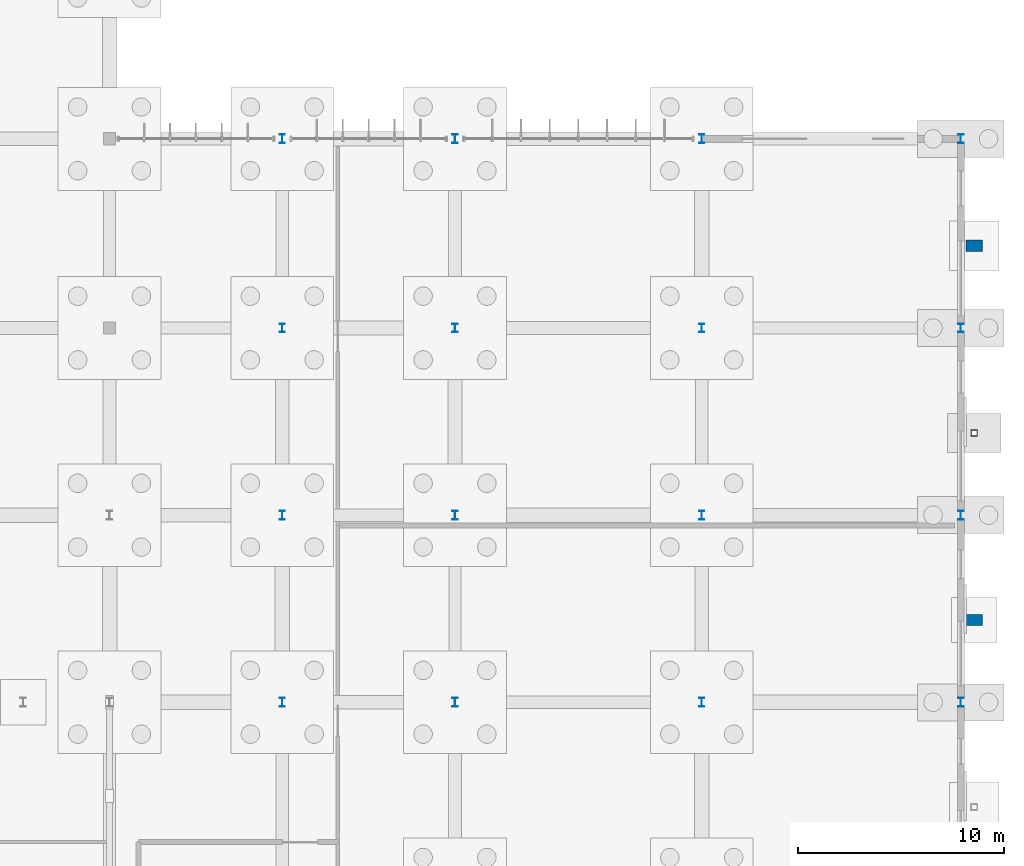
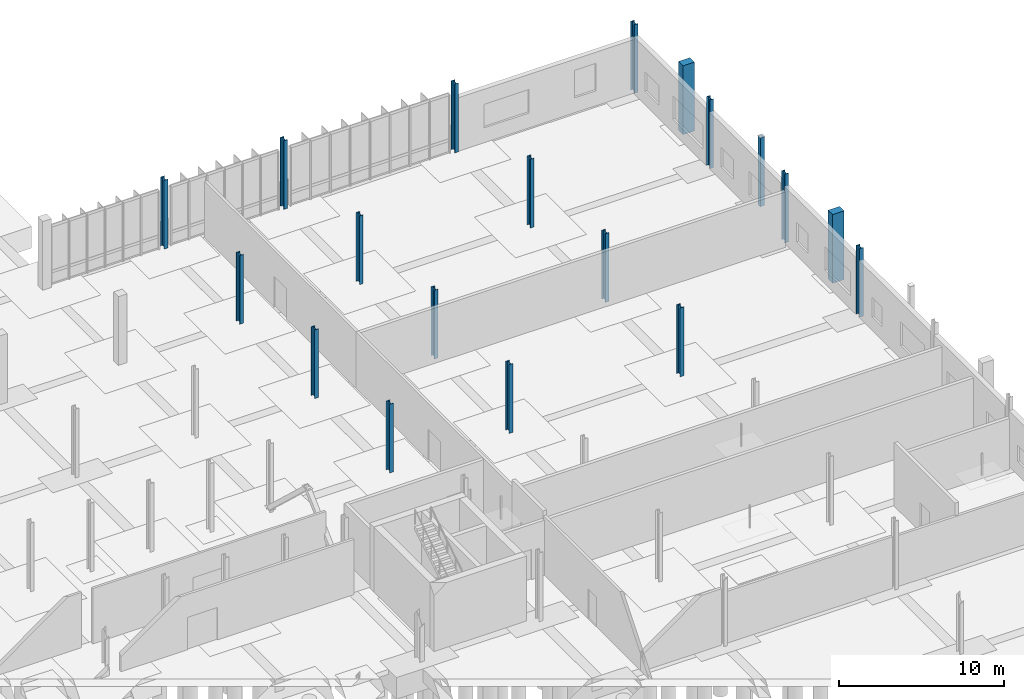
# One storey, part 27 of 119: 19 columns.
"""IFC4 building model written with IfcOpenShell, lengths in metres."""

from ifc_helpers import new_model, si_unit, derived_unit, direction, frame, origin, origin_2d, place, context, subcontext, project, spatial, rectangle, hollow_rectangle, i_section, extrude, material, material_profile, profile_set, type_object, element, save


model = new_model("IFC4")

# Units and contexts
model_context = context("Model", 3, precision=1e-05, world=origin(), true_north=direction((0.0, 1.0)))
body_context = subcontext(model_context, "Body", "Model", "MODEL_VIEW")
ifc_project = project(units=[si_unit("LENGTHUNIT", "METRE"), si_unit("AREAUNIT", "SQUARE_METRE"), si_unit("VOLUMEUNIT", "CUBIC_METRE"), si_unit("PLANEANGLEUNIT", "RADIAN"), si_unit("MASSUNIT", "GRAM", prefix="KILO"), derived_unit("THERMALTRANSMITTANCEUNIT", [(si_unit("MASSUNIT", "GRAM", prefix="KILO"), 1), (si_unit("TIMEUNIT", "SECOND"), -3), (si_unit("THERMODYNAMICTEMPERATUREUNIT", "KELVIN"), -1)])], contexts=[model_context])

# Site, building, storey
site_placement = place(None, origin())
site = spatial("IfcSite", under=ifc_project, at=site_placement, CompositionType="ELEMENT")
building_placement = place(site_placement, origin())
building = spatial("IfcBuilding", under=site, at=building_placement, Name="Makaiwela Harbour Ferry Terminal", CompositionType="ELEMENT")
storey_placement = place(building_placement, origin())
storey = spatial("IfcBuildingStorey", under=building, at=storey_placement, Name="L00", CompositionType="ELEMENT", Elevation=0.0)

# Columns
ifc_material_1 = material(Name="Steel ASTM A992 Grade 50", Category="steel")
ifc_material_profile_1 = material_profile(ifc_material_1, i_section(OverallWidth=0.264892578125, OverallDepth=0.430908203125, WebThickness=0.014892578125, FlangeThickness=0.02490234375, at=origin_2d()), Name="W16X100")
ifc_profile_set_1 = profile_set([ifc_material_profile_1], Name="Steel ASTM A992 Grade 50")
column_type_1 = type_object("IfcColumnType", Name="STR-COL-W16X100", PredefinedType="COLUMN", material=ifc_profile_set_1)
for number, where, z_axis, x_axis, name in (
    (1, (147.0, 67.60009765625, 0.0), (0.0, 0.0, 1.0), (1.0, 0.0, 0.0), "Structural Column C-03"),
    (2, (147.0, 76.699951171875, 0.0), (0.0, 0.0, 1.0), (1.0, 0.0, 0.0), "Structural Column C-03"),
    (3, (147.0, 85.800048828125, 0.0), (0.0, 0.0, 1.0), (1.0, 0.0, 0.0), "Structural Column C-03"),
    (4, (147.0, 95.0, 0.0), (0.0, 0.0, 1.0), (1.0, 0.0, 0.0), "Structural Column C-03"),
    (5, (155.39990234375, 67.60009765625, 0.0), (0.0, 0.0, 1.0), (1.0, 0.0, 0.0), "Structural Column C-03"),
    (6, (155.39990234375, 76.699951171875, 0.0), (0.0, 0.0, 1.0), (1.0, 0.0, 0.0), "Structural Column C-03"),
    (7, (155.39990234375, 85.800048828125, 0.0), (0.0, 0.0, 1.0), (1.0, 0.0, 0.0), "Structural Column C-03"),
    (8, (155.39990234375, 95.0, 0.0), (0.0, 0.0, 1.0), (1.0, 0.0, 0.0), "Structural Column C-03"),
    (9, (167.39990234375, 67.60009765625, 0.0), (0.0, 0.0, 1.0), (1.0, 0.0, 0.0), "Structural Column C-03"),
    (10, (167.39990234375, 76.699951171875, 0.0), (0.0, 0.0, 1.0), (1.0, 0.0, 0.0), "Structural Column C-03"),
    (11, (167.39990234375, 85.800048828125, 0.0), (0.0, 0.0, 1.0), (1.0, 0.0, 0.0), "Structural Column C-03"),
    (12, (167.39990234375, 95.0, 0.0), (0.0, 0.0, 1.0), (1.0, 0.0, 0.0), "Structural Column C-03"),
    (13, (180.0, 67.60009765625, 0.0), (0.0, 0.0, 1.0), (1.0, 0.0, 0.0), "Structural Column C-03"),
    (14, (180.0, 76.699951171875, 0.0), (0.0, 0.0, 1.0), (1.0, 0.0, 0.0), "Structural Column C-03"),
    (15, (180.0, 85.800048828125, 0.0), (0.0, 0.0, 1.0), (1.0, 0.0, 0.0), "Structural Column C-03"),
    (16, (180.0, 95.0, 0.0), (0.0, 0.0, 1.0), (1.0, 0.0, 0.0), "Structural Column C-03"),
):
    element("IfcColumn", number, at=place(storey_placement, frame(where, z_axis=z_axis, x_axis=x_axis)), inside=storey, type_object=column_type_1, Name=name, PredefinedType="COLUMN", context=body_context, shape_type="SweptSolid", body=[
        extrude(i_section(OverallWidth=0.264892578125, OverallDepth=0.430908203125, WebThickness=0.014892578125, FlangeThickness=0.02490234375, at=origin_2d()), origin(), (0.0, 0.0, 1.0), 5.10009765625),
    ])
ifc_material_2 = material(Name="Steel ASTM A500 Grade C", Category="steel")
ifc_material_profile_2 = material_profile(ifc_material_2, hollow_rectangle(XDim=0.304931640625, YDim=0.304931640625, WallThickness=0.0146484375, at=origin_2d()), Name="HSS12X12X5/8")
ifc_profile_set_2 = profile_set([ifc_material_profile_2], Name="Steel ASTM A500 Grade C")
column_type_2 = type_object("IfcColumnType", Name="STR-PIL-HSS12", PredefinedType="PILASTER", material=ifc_profile_set_2)
column_placement = place(storey_placement, frame((180.64990234375, 80.699951171875, 0.0), z_axis=(0.0, 0.0, 1.0), x_axis=(0.0, 1.0, 0.0)))
element("IfcColumn", 17, at=column_placement, inside=storey, type_object=column_type_2, Name="Structural Column PL-02", PredefinedType="PILASTER", context=body_context, shape_type="SweptSolid", body=[
    extrude(hollow_rectangle(XDim=0.304931640625, YDim=0.304931640625, WallThickness=0.0146484375, at=origin_2d()), origin(), (0.0, 0.0, 1.0), 5.10009765625),
])
ifc_material_3 = material(Name="Concrete f'c 45 MPa (6500 psi)", Category="concrete")
ifc_material_profile_3 = material_profile(ifc_material_3, rectangle(XDim=0.550048828125, YDim=0.800048828125, at=origin_2d()), Name="RC-800X550")
ifc_profile_set_3 = profile_set([ifc_material_profile_3], Name="Concrete f'c 45 MPa (6500 psi)")
column_type_3 = type_object("IfcColumnType", Name="STR-PIL-RC800", PredefinedType="PILASTER", material=ifc_profile_set_3)
for number, where, z_axis, x_axis, name in (
    (18, (180.64990234375, 71.60009765625, 0.0), (0.0, 0.0, 1.0), (0.0, 1.0, 0.0), "Structural Column PL-01"),
    (19, (180.64990234375, 89.800048828125, 0.0), (0.0, 0.0, 1.0), (0.0, 1.0, 0.0), "Structural Column PL-01"),
):
    element("IfcColumn", number, at=place(storey_placement, frame(where, z_axis=z_axis, x_axis=x_axis)), inside=storey, type_object=column_type_3, Name=name, PredefinedType="PILASTER", context=body_context, shape_type="SweptSolid", body=[
        extrude(rectangle(XDim=0.550048828125, YDim=0.800048828125, at=origin_2d()), origin(), (0.0, 0.0, 1.0), 5.10009765625),
    ])

save(model, "model.ifc")
